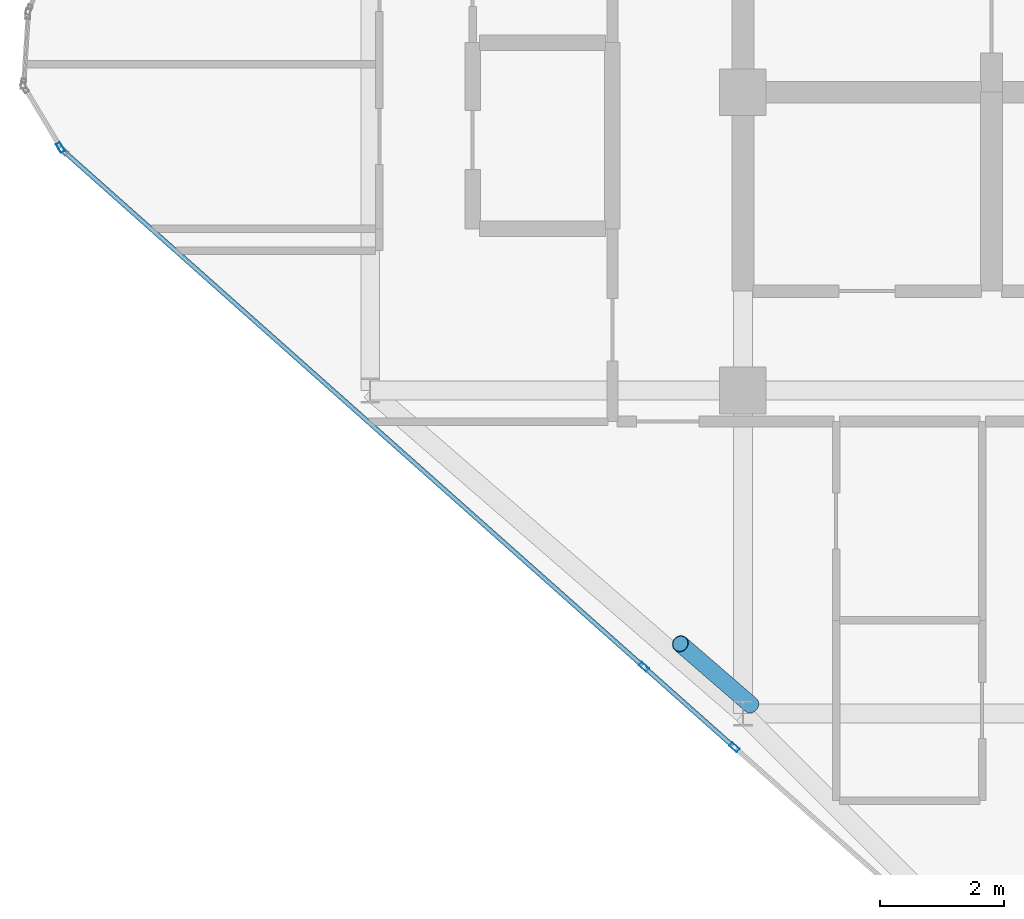
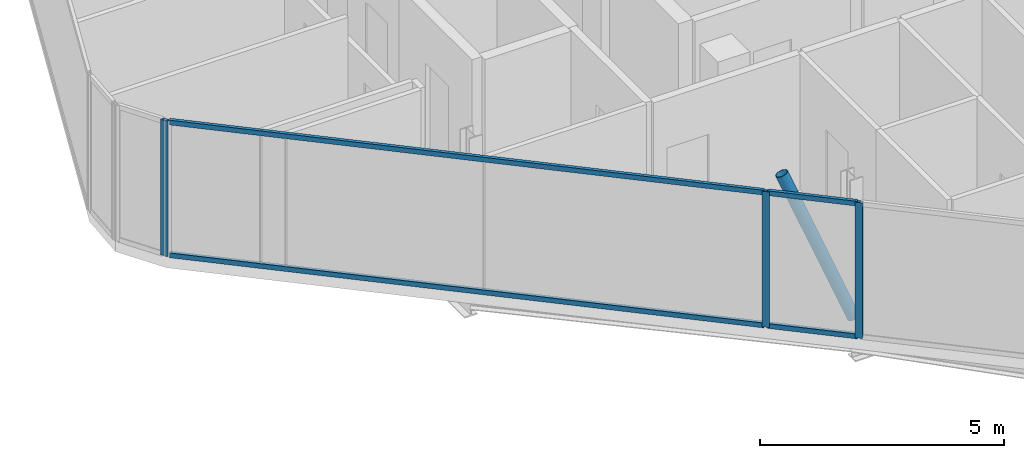
# One storey, part 3 of 27: 8 members, 4 elements without a shape of their own.
"""IFC4 building model written with IfcOpenShell, lengths in metres."""

from ifc_helpers import new_model, si_unit, direction, frame, origin, origin_2d, place, context, subcontext, project, spatial, hollow_rectangle, hollow_circle, extrude, material, layer, layer_set, material_profile, profile_set, type_object, element, aggregate, save


model = new_model("IFC4")

# Units and contexts
model_context = context("Model", 3, precision=1e-05, world=origin(), true_north=direction((0.0, 1.0)))
body_context = subcontext(model_context, "Body", "Model", "MODEL_VIEW")
ifc_project = project(units=[si_unit("LENGTHUNIT", "METRE"), si_unit("AREAUNIT", "SQUARE_METRE"), si_unit("VOLUMEUNIT", "CUBIC_METRE"), si_unit("PLANEANGLEUNIT", "RADIAN"), si_unit("MASSUNIT", "GRAM", prefix="KILO")], contexts=[model_context])

# Site, building, storey
site_placement = place(None, origin())
site = spatial("IfcSite", under=ifc_project, at=site_placement, CompositionType="ELEMENT")
building_placement = place(site_placement, origin())
building = spatial("IfcBuilding", under=site, at=building_placement, Name="Keshet Zoharim Tower", CompositionType="ELEMENT")
storey_placement = place(building_placement, frame((0.0, 0.0, 254.699951171875)))
storey = spatial("IfcBuildingStorey", under=building, at=storey_placement, Name="L63", CompositionType="ELEMENT", Elevation=254.699951171875)

# Curtain wall, member
ifc_material_1 = material(Name="Aluminium 6063-T6", Category="aluminium")
ifc_layer = layer(ifc_material_1, 0.260009765625)
ifc_layer_set = layer_set([ifc_layer], Name="Aluminium 6063-T6")
curtain_wall_type = type_object("IfcCurtainWallType", Name="CW-SYS-06", PredefinedType="NOTDEFINED", material=ifc_layer_set)
curtain_wall_1_placement = place(storey_placement, origin())
curtain_wall_1 = element("IfcCurtainWall", 1, at=curtain_wall_1_placement, inside=storey, type_object=curtain_wall_type, Name="L63 Unitised Curtain Wall 01", PredefinedType="NOTDEFINED")
ifc_material_profile_1 = material_profile(ifc_material_1, hollow_rectangle(XDim=0.074951171875, YDim=0.159912109375, WallThickness=0.00390625, at=origin_2d()), Name="MUL-75x160")
ifc_profile_set_1 = profile_set([ifc_material_profile_1], Name="Aluminium 6063-T6")
member_type_1 = type_object("IfcMemberType", Name="CWM-M15", PredefinedType="MULLION", material=ifc_profile_set_1)
member_1_placement = place(storey_placement, frame((4.016845703125, 21.81005859375, 0.0), z_axis=(0.0, 0.0, 1.0), x_axis=(-0.856826433805, -0.515604947933, 0.0)))
member_1 = element("IfcMember", 2, at=member_1_placement, type_object=member_type_1, Name="CW-06 mullion 1", PredefinedType="MULLION", context=body_context, shape_type="SweptSolid", body=[
    extrude(hollow_rectangle(XDim=0.074951171875, YDim=0.159912109375, WallThickness=0.00390625, at=origin_2d()), origin(), (0.0, 0.0, 1.0), 3.39013671875),
])
aggregate(curtain_wall_1, [member_1])

curtain_wall_2_placement = place(storey_placement, origin())
curtain_wall_2 = element("IfcCurtainWall", 3, at=curtain_wall_2_placement, inside=storey, type_object=curtain_wall_type, Name="L63 Unitised Curtain Wall 16", PredefinedType="NOTDEFINED")
member_2_placement = place(storey_placement, frame((14.863037109375, 12.155029296875, 0.0), z_axis=(0.0, 0.0, 1.0), x_axis=(-0.664362180559, -0.747410792699, 0.0)))
member_2 = element("IfcMember", 4, at=member_2_placement, type_object=member_type_1, Name="CW-06 mullion 2", PredefinedType="MULLION", context=body_context, shape_type="SweptSolid", body=[
    extrude(hollow_rectangle(XDim=0.074951171875, YDim=0.159912109375, WallThickness=0.00390625, at=origin_2d()), origin(), (0.0, 0.0, 1.0), 3.39013671875),
])
aggregate(curtain_wall_2, [member_2])

# Curtain wall, members
curtain_wall_3_placement = place(storey_placement, origin())
curtain_wall_3 = element("IfcCurtainWall", 5, at=curtain_wall_3_placement, inside=storey, type_object=curtain_wall_type, Name="L63 Unitised Curtain Wall 16 Part 2", PredefinedType="NOTDEFINED")
member_3_placement = place(storey_placement, frame((13.40576171875, 13.450439453125, 0.0), z_axis=(0.0, 0.0, 1.0), x_axis=(-0.664338369143, -0.747431957629, 0.0)))
member_3 = element("IfcMember", 6, at=member_3_placement, type_object=member_type_1, Name="CW-06 mullion 2", PredefinedType="MULLION", context=body_context, shape_type="SweptSolid", body=[
    extrude(hollow_rectangle(XDim=0.074951171875, YDim=0.159912109375, WallThickness=0.00390625, at=origin_2d()), origin(), (0.0, 0.0, 1.0), 3.39013671875),
])
ifc_material_profile_2 = material_profile(ifc_material_1, hollow_rectangle(XDim=0.074951171875, YDim=0.1201171875, WallThickness=0.00390625, at=origin_2d()), Name="TRN-75x120")
ifc_profile_set_2 = profile_set([ifc_material_profile_2], Name="Aluminium 6063-T6")
member_type_2 = type_object("IfcMemberType", Name="CWT-T12", PredefinedType="USERDEFINED", material=ifc_profile_set_2)
member_4_placement = place(storey_placement, frame((14.8369140625, 12.178466796875, 0.03515625), z_axis=(-0.747452318941, 0.664315460387, 0.0), x_axis=(-0.664315460387, -0.747452318941, 0.0)))
member_4 = element("IfcMember", 7, at=member_4_placement, type_object=member_type_2, Name="CW-06 transom 1.1", ObjectType="TRANSOM", PredefinedType="USERDEFINED", context=body_context, shape_type="SweptSolid", body=[
    extrude(hollow_rectangle(XDim=0.074951171875, YDim=0.1201171875, WallThickness=0.00390625, at=origin_2d()), origin(), (0.0, 0.0, 1.0), 1.87939453125),
])
member_5_placement = place(storey_placement, frame((14.8369140625, 12.178466796875, 3.35498046875), z_axis=(-0.747452318941, 0.664315460387, 0.0), x_axis=(-0.664315460387, -0.747452318941, 0.0)))
member_5 = element("IfcMember", 8, at=member_5_placement, type_object=member_type_2, Name="CW-06 transom 1.2", ObjectType="TRANSOM", PredefinedType="USERDEFINED", context=body_context, shape_type="SweptSolid", body=[
    extrude(hollow_rectangle(XDim=0.074951171875, YDim=0.1201171875, WallThickness=0.00390625, at=origin_2d()), origin(), (0.0, 0.0, 1.0), 1.87939453125),
])
aggregate(curtain_wall_3, [member_3, member_4, member_5])

curtain_wall_4_placement = place(storey_placement, origin())
curtain_wall_4 = element("IfcCurtainWall", 9, at=curtain_wall_4_placement, inside=storey, type_object=curtain_wall_type, Name="L63 Unitised Curtain Wall 16 Part 3", PredefinedType="NOTDEFINED")
member_6_placement = place(storey_placement, frame((13.379638671875, 13.4736328125, 0.03515625), z_axis=(-0.747409318684, 0.66436383883, 0.0), x_axis=(-0.66436383883, -0.747409318684, 0.0)))
member_6 = element("IfcMember", 10, at=member_6_placement, type_object=member_type_2, Name="CW-06 transom 1.1", ObjectType="TRANSOM", PredefinedType="USERDEFINED", context=body_context, shape_type="SweptSolid", body=[
    extrude(hollow_rectangle(XDim=0.074951171875, YDim=0.1201171875, WallThickness=0.00390625, at=origin_2d()), origin(), (0.0, 0.0, 1.0), 12.4326171875),
])
member_7_placement = place(storey_placement, frame((13.379638671875, 13.4736328125, 3.35498046875), z_axis=(-0.747409318684, 0.66436383883, 0.0), x_axis=(-0.66436383883, -0.747409318684, 0.0)))
member_7 = element("IfcMember", 11, at=member_7_placement, type_object=member_type_2, Name="CW-06 transom 1.2", ObjectType="TRANSOM", PredefinedType="USERDEFINED", context=body_context, shape_type="SweptSolid", body=[
    extrude(hollow_rectangle(XDim=0.074951171875, YDim=0.1201171875, WallThickness=0.00390625, at=origin_2d()), origin(), (0.0, 0.0, 1.0), 12.4326171875),
])
aggregate(curtain_wall_4, [member_6, member_7])

# Member
ifc_material_2 = material(Name="Steel S355", Category="steel")
ifc_material_profile_3 = material_profile(ifc_material_2, hollow_circle(Radius=0.136474609375, WallThickness=0.010009765625, at=origin_2d()), Name="CHS273x10")
ifc_profile_set_3 = profile_set([ifc_material_profile_3], Name="Steel S355")
member_type_3 = type_object("IfcMemberType", Name="MB-BR-C273", PredefinedType="BRACE", material=ifc_profile_set_3)
member_8_placement = place(storey_placement, frame((15.1259765625, 12.842041015625, 0.0), z_axis=(-0.305901085163, 0.264872801835, 0.914476311855), x_axis=(-0.654589683411, -0.755984355904, 0.0)))
element("IfcMember", 12, at=member_8_placement, inside=storey, type_object=member_type_3, Name="L63 Perimeter Tube Brace 01", PredefinedType="BRACE", context=body_context, shape_type="SweptSolid", body=[
    extrude(hollow_circle(Radius=0.136474609375, WallThickness=0.010009765625, at=origin_2d()), origin(), (0.0, 0.0, 1.0), 3.707275390625),
])

save(model, "model.ifc")
